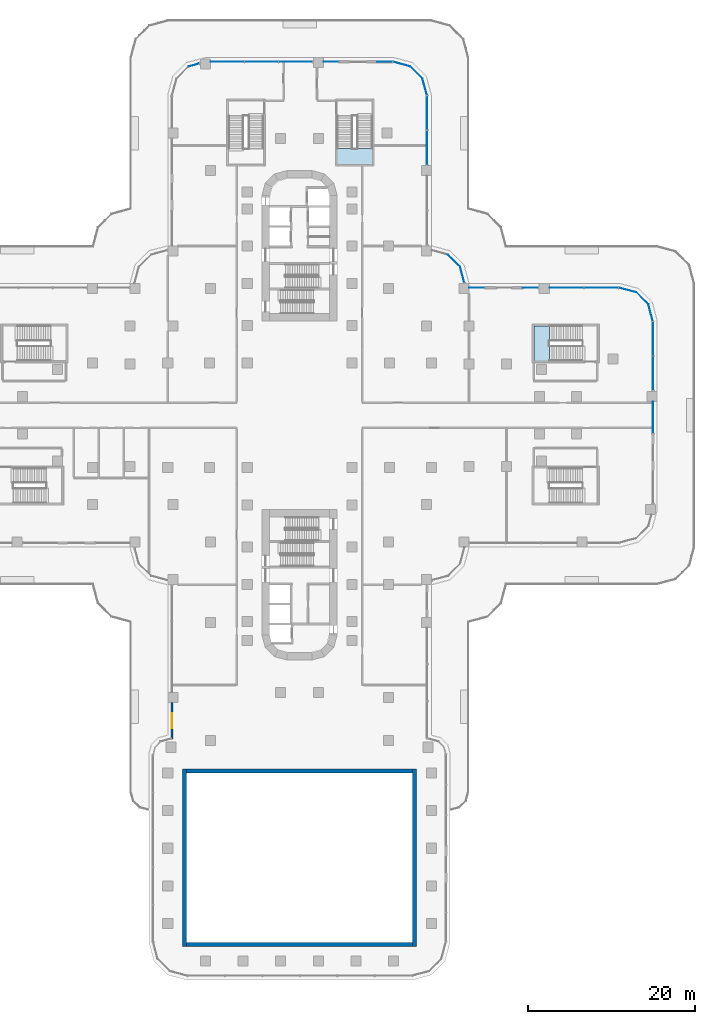
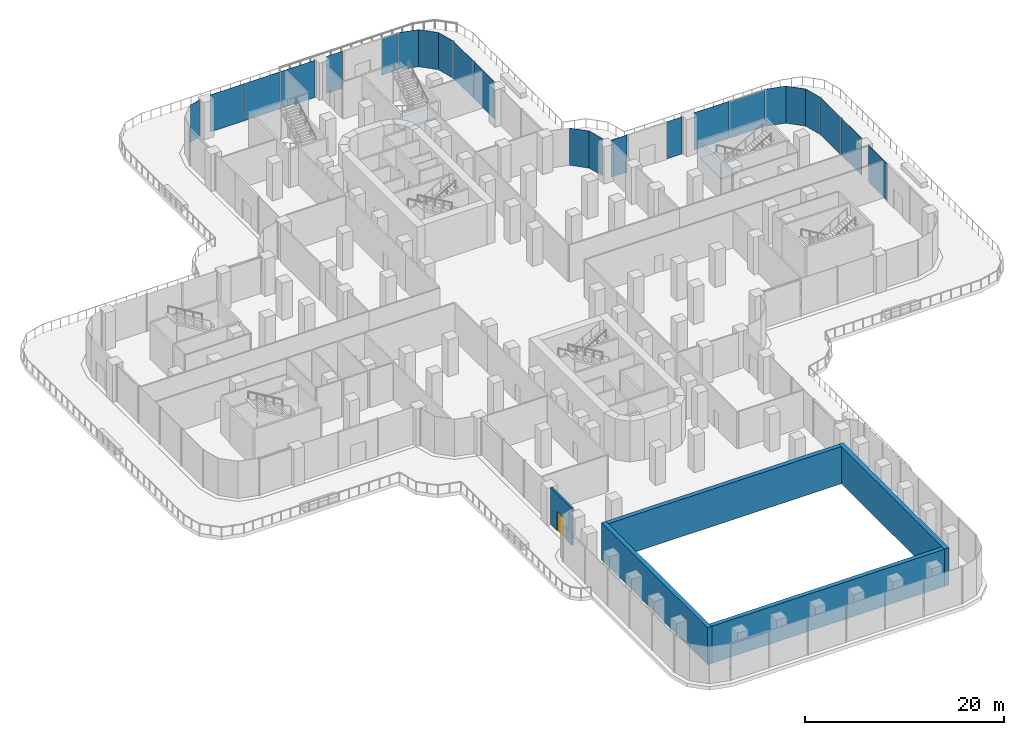
# One storey, part 15 of 27: 23 plates, 5 walls, 2 slabs, 1 door, 1 opening, 15 elements without a shape of their own.
"""IFC4 building model written with IfcOpenShell, lengths in metres."""

from ifc_helpers import new_model, si_unit, direction, frame, frame_2d, origin, place, context, subcontext, project, spatial, polyline, rectangle, outline, extrude, source, transform, mapped, material, layer, layer_set, type_object, element, fill, aggregate, save


model = new_model("IFC4")

# Units and contexts
model_context = context("Model", 3, precision=1e-05, world=origin(), true_north=direction((0.0, 1.0)))
body_context = subcontext(model_context, "Body", "Model", "MODEL_VIEW")
ifc_project = project(units=[si_unit("LENGTHUNIT", "METRE"), si_unit("AREAUNIT", "SQUARE_METRE"), si_unit("VOLUMEUNIT", "CUBIC_METRE"), si_unit("PLANEANGLEUNIT", "RADIAN"), si_unit("MASSUNIT", "GRAM", prefix="KILO")], contexts=[model_context])

# Site, building, storey
site_placement = place(None, origin())
site = spatial("IfcSite", under=ifc_project, at=site_placement, CompositionType="ELEMENT")
building_placement = place(site_placement, origin())
building = spatial("IfcBuilding", under=site, at=building_placement, Name="Zarbagh Exchange Tower", CompositionType="ELEMENT")
storey_placement = place(building_placement, frame((0.0, 0.0, 17.0)))
storey = spatial("IfcBuildingStorey", under=building, at=storey_placement, Name="L03", CompositionType="ELEMENT", Elevation=17.0)

# Stair, slab
ifc_material_1 = material(Name="Concrete C40/50", Category="concrete")
stair_type = type_object("IfcStairType", Name="Exit stair two-flight half-turn", PredefinedType="HALF_TURN_STAIR", material=ifc_material_1)
stair_1_placement = place(storey_placement, origin())
stair_1 = element("IfcStair", 1, at=stair_1_placement, inside=storey, type_object=stair_type, Name="exit stair PS2", PredefinedType="HALF_TURN_STAIR")
ifc_layer_1 = layer(ifc_material_1, 0.199951171875)
ifc_layer_set_1 = layer_set([ifc_layer_1], Name="Stair landing 200 mm")
slab_type = type_object("IfcSlabType", Name="Stair landing 200 mm", PredefinedType="LANDING", material=ifc_layer_set_1)
slab_1_placement = place(storey_placement, frame((0.0, 0.0, 2.300048828125)))
slab_1 = element("IfcSlab", 2, at=slab_1_placement, type_object=slab_type, Name="PS2 landing 1", PredefinedType="LANDING", context=body_context, shape_type="SweptSolid", body=[
    extrude(outline(polyline([(4.5, 31.8798828125), (4.5, 30.0), (8.699951171875, 30.0), (8.699951171875, 31.8798828125), (4.5, 31.8798828125)])), origin(), (0.0, 0.0, 1.0), 0.199951171875),
])
aggregate(stair_1, [slab_1])

stair_2_placement = place(storey_placement, origin())
stair_2 = element("IfcStair", 3, at=stair_2_placement, inside=storey, type_object=stair_type, Name="exit stair PS3", PredefinedType="HALF_TURN_STAIR")
slab_2_placement = place(storey_placement, frame((0.0, 0.0, 2.300048828125)))
slab_2 = element("IfcSlab", 4, at=slab_2_placement, type_object=slab_type, Name="PS3 landing 1", PredefinedType="LANDING", context=body_context, shape_type="SweptSolid", body=[
    extrude(outline(polyline([(29.8798828125, 10.699951171875), (28.0, 10.699951171875), (28.0, 6.5), (29.8798828125, 6.5), (29.8798828125, 10.699951171875)])), origin(), (0.0, 0.0, 1.0), 0.199951171875),
])
aggregate(stair_2, [slab_2])

# Curtain wall, plate
ifc_material_2 = material(Name="Anodised aluminium frame and glazing", Category="aluminium")
curtain_wall_type = type_object("IfcCurtainWallType", Name="CWC Podium garden-wall glazing", PredefinedType="NOTDEFINED", material=ifc_material_2)
curtain_wall_1_placement = place(storey_placement, origin())
curtain_wall_1 = element("IfcCurtainWall", 5, at=curtain_wall_1_placement, inside=storey, type_object=curtain_wall_type, Name="CWC155 curtain wall", PredefinedType="NOTDEFINED")
ifc_material_3 = material(Name="Low-e double glazed unit, 6+12+6 mm")
ifc_layer_2 = layer(ifc_material_3, 0.031982421875)
ifc_layer_set_2 = layer_set([ifc_layer_2], Name="PAC Glazing panel, Low-e double glazed unit, 6+12+6 mm")
plate_type = type_object("IfcPlateType", Name="PAC Glazing panel, Low-e double glazed unit, 6+12+6 mm", PredefinedType="CURTAIN_PANEL", material=ifc_layer_set_2)
shared_shape_1 = source(origin(), body_context, "Body", "SweptSolid", [
    extrude(outline(polyline([(0.0, -0.01611328125), (2.049560546875, -0.01611328125), (2.049560546875, 0.01611328125), (0.0, 0.01611328125), (0.0, -0.01611328125)])), origin(), (0.0, 0.0, 1.0), 4.550048828125),
])
placement = place(storey_placement, origin())
plate_1 = element("IfcPlate", 6, at=placement, type_object=plate_type, Name="CWC155 glazing panel 1.1", PredefinedType="CURTAIN_PANEL", context=body_context, shape_type="MappedRepresentation", body=[
    mapped(shared_shape_1, transform((42.229248046875, 11.261474609375, 0.0), x_axis=(-0.258824779902, 0.965924289636, 0.0), y_axis=(-0.965924289636, -0.258824779902, 0.0), z_axis=(0.0, 0.0, 1.0))),
])
aggregate(curtain_wall_1, [plate_1])

curtain_wall_2_placement = place(storey_placement, origin())
curtain_wall_2 = element("IfcCurtainWall", 7, at=curtain_wall_2_placement, inside=storey, type_object=curtain_wall_type, Name="CWC163 curtain wall", PredefinedType="NOTDEFINED")
plate_2 = element("IfcPlate", 8, at=placement, type_object=plate_type, Name="CWC163 glazing panel 1.1", PredefinedType="CURTAIN_PANEL", context=body_context, shape_type="MappedRepresentation", body=[
    mapped(shared_shape_1, transform((15.229248046875, 38.261474609375, 0.0), x_axis=(-0.258824779902, 0.965924289636, 0.0), y_axis=(-0.965924289636, -0.258824779902, 0.0), z_axis=(0.0, 0.0, 1.0))),
])
aggregate(curtain_wall_2, [plate_2])

curtain_wall_3_placement = place(storey_placement, origin())
curtain_wall_3 = element("IfcCurtainWall", 9, at=curtain_wall_3_placement, inside=storey, type_object=curtain_wall_type, Name="CWC156 curtain wall", PredefinedType="NOTDEFINED")
shared_shape_2 = source(origin(), body_context, "Body", "SweptSolid", [
    extrude(outline(polyline([(0.0, -0.01611328125), (2.061279296875, -0.01611328125), (2.061279296875, 0.01611328125), (0.0, 0.01611328125), (0.0, -0.01611328125)])), origin(), (0.0, 0.0, 1.0), 4.550048828125),
])
plate_3 = element("IfcPlate", 10, at=placement, type_object=plate_type, Name="CWC156 glazing panel 1.1", PredefinedType="CURTAIN_PANEL", context=body_context, shape_type="MappedRepresentation", body=[
    mapped(shared_shape_2, transform((41.69873046875, 13.2412109375, 0.0), x_axis=(-0.707106781187, 0.707106781187, 0.0), y_axis=(-0.707106781187, -0.707106781187, 0.0), z_axis=(0.0, 0.0, 1.0))),
])
aggregate(curtain_wall_3, [plate_3])

curtain_wall_4_placement = place(storey_placement, origin())
curtain_wall_4 = element("IfcCurtainWall", 11, at=curtain_wall_4_placement, inside=storey, type_object=curtain_wall_type, Name="CWC160 curtain wall", PredefinedType="NOTDEFINED")
plate_4 = element("IfcPlate", 12, at=placement, type_object=plate_type, Name="CWC160 glazing panel 1.1", PredefinedType="CURTAIN_PANEL", context=body_context, shape_type="MappedRepresentation", body=[
    mapped(shared_shape_2, transform((19.19873046875, 17.7412109375, 0.0), x_axis=(-0.707106781187, 0.707106781187, 0.0), y_axis=(-0.707106781187, -0.707106781187, 0.0), z_axis=(0.0, 0.0, 1.0))),
])
aggregate(curtain_wall_4, [plate_4])

curtain_wall_5_placement = place(storey_placement, origin())
curtain_wall_5 = element("IfcCurtainWall", 13, at=curtain_wall_5_placement, inside=storey, type_object=curtain_wall_type, Name="CWC164 curtain wall", PredefinedType="NOTDEFINED")
plate_5 = element("IfcPlate", 14, at=placement, type_object=plate_type, Name="CWC164 glazing panel 1.1", PredefinedType="CURTAIN_PANEL", context=body_context, shape_type="MappedRepresentation", body=[
    mapped(shared_shape_2, transform((14.69873046875, 40.2412109375, 0.0), x_axis=(-0.707106781187, 0.707106781187, 0.0), y_axis=(-0.707106781187, -0.707106781187, 0.0), z_axis=(0.0, 0.0, 1.0))),
])
aggregate(curtain_wall_5, [plate_5])

# Curtain wall, plates
curtain_wall_6_placement = place(storey_placement, origin())
curtain_wall_6 = element("IfcCurtainWall", 15, at=curtain_wall_6_placement, inside=storey, type_object=curtain_wall_type, Name="CWC166 curtain wall", PredefinedType="NOTDEFINED")
shared_shape_3 = source(origin(), body_context, "Body", "SweptSolid", [
    extrude(outline(polyline([(0.0, -0.01611328125), (3.993408203125, -0.01611328125), (3.993408203125, 0.01611328125), (0.0, 0.01611328125), (0.0, -0.01611328125)])), origin(), (0.0, 0.0, 1.0), 4.550048828125),
])
plate_6 = element("IfcPlate", 16, at=placement, type_object=plate_type, Name="CWC166 glazing panel 3.1", PredefinedType="CURTAIN_PANEL", context=body_context, shape_type="MappedRepresentation", body=[
    mapped(shared_shape_3, transform((1.530029296875, 42.25, 0.0), x_axis=(-1.0, 0.0, 0.0), y_axis=(0.0, -1.0, 0.0), z_axis=(0.0, 0.0, 1.0))),
])
plate_7 = element("IfcPlate", 17, at=placement, type_object=plate_type, Name="CWC166 glazing panel 3.2", PredefinedType="CURTAIN_PANEL", context=body_context, shape_type="MappedRepresentation", body=[
    mapped(shared_shape_3, transform((-2.54345703125, 42.25, 0.0), x_axis=(-1.0, 0.0, 0.0), y_axis=(0.0, -1.0, 0.0), z_axis=(0.0, 0.0, 1.0))),
])
plate_8 = element("IfcPlate", 18, at=placement, type_object=plate_type, Name="CWC166 glazing panel 3.3", PredefinedType="CURTAIN_PANEL", context=body_context, shape_type="MappedRepresentation", body=[
    mapped(shared_shape_3, transform((-6.61669921875, 42.25, 0.0), x_axis=(-1.0, 0.0, 0.0), y_axis=(0.0, -1.0, 0.0), z_axis=(0.0, 0.0, 1.0))),
])

# Curtain wall, plate
curtain_wall_7_placement = place(storey_placement, origin())
curtain_wall_7 = element("IfcCurtainWall", 19, at=curtain_wall_7_placement, inside=storey, type_object=curtain_wall_type, Name="CWC159 curtain wall", PredefinedType="NOTDEFINED")
shared_shape_4 = source(origin(), body_context, "Body", "SweptSolid", [
    extrude(outline(polyline([(0.0, -0.01611328125), (1.93994140625, -0.01611328125), (1.93994140625, 0.01611328125), (0.0, 0.01611328125), (0.0, -0.01611328125)])), origin(), (0.0, 0.0, 1.0), 4.550048828125),
])
plate_9 = element("IfcPlate", 20, at=placement, type_object=plate_type, Name="CWC159 glazing panel 1.1", PredefinedType="CURTAIN_PANEL", context=body_context, shape_type="MappedRepresentation", body=[
    mapped(shared_shape_4, transform((19.700927734375, 15.867431640625, 0.0), x_axis=(-0.258824779902, 0.965924289636, 0.0), y_axis=(-0.965924289636, -0.258824779902, 0.0), z_axis=(0.0, 0.0, 1.0))),
])
aggregate(curtain_wall_7, [plate_9])

curtain_wall_8_placement = place(storey_placement, origin())
curtain_wall_8 = element("IfcCurtainWall", 21, at=curtain_wall_8_placement, inside=storey, type_object=curtain_wall_type, Name="CWC167 curtain wall", PredefinedType="NOTDEFINED")
shared_shape_5 = source(origin(), body_context, "Body", "SweptSolid", [
    extrude(outline(polyline([(0.0, -0.01611328125), (1.31884765625, -0.01611328125), (1.31884765625, 0.01611328125), (0.0, 0.01611328125), (0.0, -0.01611328125)])), origin(), (0.0, 0.0, 1.0), 4.550048828125),
])
plate_10 = element("IfcPlate", 22, at=placement, type_object=plate_type, Name="CWC167 glazing panel 1.1", PredefinedType="CURTAIN_PANEL", context=body_context, shape_type="MappedRepresentation", body=[
    mapped(shared_shape_5, transform((-11.96728515625, 42.040283203125, 0.0), x_axis=(-0.965924289636, -0.258824779902, 0.0), y_axis=(0.258824779902, -0.965924289636, 0.0), z_axis=(0.0, 0.0, 1.0))),
])
aggregate(curtain_wall_8, [plate_10])

curtain_wall_9_placement = place(storey_placement, origin())
curtain_wall_9 = element("IfcCurtainWall", 23, at=curtain_wall_9_placement, inside=storey, type_object=curtain_wall_type, Name="CWC154 curtain wall", PredefinedType="NOTDEFINED")
shared_shape_6 = source(origin(), body_context, "Body", "SweptSolid", [
    extrude(outline(polyline([(0.0, -0.01611328125), (3.780029296875, -0.01611328125), (3.780029296875, 0.01611328125), (0.0, 0.01611328125), (0.0, -0.01611328125)])), origin(), (0.0, 0.0, 1.0), 4.550048828125),
])
plate_11 = element("IfcPlate", 24, at=placement, type_object=plate_type, Name="CWC154 glazing panel 2.1", PredefinedType="CURTAIN_PANEL", context=body_context, shape_type="MappedRepresentation", body=[
    mapped(shared_shape_6, transform((42.25, -2.169921875, 0.0), x_axis=(0.0, 1.0, 0.0), y_axis=(-1.0, 0.0, 0.0), z_axis=(0.0, 0.0, 1.0))),
])

curtain_wall_10_placement = place(storey_placement, origin())
curtain_wall_10 = element("IfcCurtainWall", 25, at=curtain_wall_10_placement, inside=storey, type_object=curtain_wall_type, Name="CWC157 curtain wall", PredefinedType="NOTDEFINED")
shared_shape_7 = source(origin(), body_context, "Body", "SweptSolid", [
    extrude(outline(polyline([(0.0, -0.01611328125), (2.129638671875, -0.01611328125), (2.129638671875, 0.01611328125), (0.0, 0.01611328125), (0.0, -0.01611328125)])), origin(), (0.0, 0.0, 1.0), 4.550048828125),
])
plate_12 = element("IfcPlate", 26, at=placement, type_object=plate_type, Name="CWC157 glazing panel 1.1", PredefinedType="CURTAIN_PANEL", context=body_context, shape_type="MappedRepresentation", body=[
    mapped(shared_shape_7, transform((40.2412109375, 14.69873046875, 0.0), x_axis=(-0.965924289636, 0.258824779902, 0.0), y_axis=(-0.258824779902, -0.965924289636, 0.0), z_axis=(0.0, 0.0, 1.0))),
])
aggregate(curtain_wall_10, [plate_12])

curtain_wall_11_placement = place(storey_placement, origin())
curtain_wall_11 = element("IfcCurtainWall", 27, at=curtain_wall_11_placement, inside=storey, type_object=curtain_wall_type, Name="CWC165 curtain wall", PredefinedType="NOTDEFINED")
plate_13 = element("IfcPlate", 28, at=placement, type_object=plate_type, Name="CWC165 glazing panel 1.1", PredefinedType="CURTAIN_PANEL", context=body_context, shape_type="MappedRepresentation", body=[
    mapped(shared_shape_7, transform((13.2412109375, 41.69873046875, 0.0), x_axis=(-0.965924289636, 0.258824779902, 0.0), y_axis=(-0.258824779902, -0.965924289636, 0.0), z_axis=(0.0, 0.0, 1.0))),
])
aggregate(curtain_wall_11, [plate_13])

# Plate
shared_shape_8 = source(origin(), body_context, "Body", "SweptSolid", [
    extrude(outline(polyline([(0.0, -0.01611328125), (1.817138671875, -0.01611328125), (1.817138671875, 0.01611328125), (0.0, 0.01611328125), (0.0, -0.01611328125)])), origin(), (0.0, 0.0, 1.0), 4.550048828125),
])
plate_14 = element("IfcPlate", 29, at=placement, type_object=plate_type, Name="CWC166 glazing panel 2.1", PredefinedType="CURTAIN_PANEL", context=body_context, shape_type="MappedRepresentation", body=[
    mapped(shared_shape_8, transform((4.70703125, 42.25, 0.0), x_axis=(-1.0, 0.0, 0.0), y_axis=(0.0, -1.0, 0.0), z_axis=(0.0, 0.0, 1.0))),
])

# Curtain wall, plate
curtain_wall_12_placement = place(storey_placement, origin())
curtain_wall_12 = element("IfcCurtainWall", 30, at=curtain_wall_12_placement, inside=storey, type_object=curtain_wall_type, Name="CWC158 curtain wall", PredefinedType="NOTDEFINED")
shared_shape_9 = source(origin(), body_context, "Body", "SweptSolid", [
    extrude(outline(polyline([(0.0, -0.01611328125), (4.067138671875, -0.01611328125), (4.067138671875, 0.01611328125), (0.0, 0.01611328125), (0.0, -0.01611328125)])), origin(), (0.0, 0.0, 1.0), 4.469970703125),
])
plate_15 = element("IfcPlate", 31, at=placement, type_object=plate_type, Name="CWC158 glazing panel 1.1", PredefinedType="CURTAIN_PANEL", context=body_context, shape_type="MappedRepresentation", body=[
    mapped(shared_shape_9, transform((38.104248046875, 15.25, 0.0), x_axis=(-1.0, 0.0, 0.0), y_axis=(0.0, -1.0, 0.0), z_axis=(0.0, 0.0, 1.0))),
])

# Plate
shared_shape_10 = source(origin(), body_context, "Body", "SweptSolid", [
    extrude(outline(polyline([(0.0, -0.01611328125), (4.067138671875, -0.01611328125), (4.067138671875, 0.01611328125), (0.0, 0.01611328125), (0.0, -0.01611328125)])), origin(), (0.0, 0.0, 1.0), 4.550048828125),
])
plate_16 = element("IfcPlate", 32, at=placement, type_object=plate_type, Name="CWC154 glazing panel 3.1", PredefinedType="CURTAIN_PANEL", context=body_context, shape_type="MappedRepresentation", body=[
    mapped(shared_shape_10, transform((42.25, 2.969970703125, 0.0), x_axis=(0.0, 1.0, 0.0), y_axis=(-1.0, 0.0, 0.0), z_axis=(0.0, 0.0, 1.0))),
])

plate_17 = element("IfcPlate", 33, at=placement, type_object=plate_type, Name="CWC154 glazing panel 3.2", PredefinedType="CURTAIN_PANEL", context=body_context, shape_type="MappedRepresentation", body=[
    mapped(shared_shape_10, transform((42.25, 7.1171875, 0.0), x_axis=(0.0, 1.0, 0.0), y_axis=(-1.0, 0.0, 0.0), z_axis=(0.0, 0.0, 1.0))),
])

aggregate(curtain_wall_9, [plate_11, plate_16, plate_17])

plate_18 = element("IfcPlate", 34, at=placement, type_object=plate_type, Name="CWC158 glazing panel 1.2", PredefinedType="CURTAIN_PANEL", context=body_context, shape_type="MappedRepresentation", body=[
    mapped(shared_shape_10, transform((33.95703125, 15.25, 0.0), x_axis=(-1.0, 0.0, 0.0), y_axis=(0.0, -1.0, 0.0), z_axis=(0.0, 0.0, 1.0))),
])

# Curtain wall, plates
curtain_wall_13_placement = place(storey_placement, origin())
curtain_wall_13 = element("IfcCurtainWall", 35, at=curtain_wall_13_placement, inside=storey, type_object=curtain_wall_type, Name="CWC162 curtain wall", PredefinedType="NOTDEFINED")
plate_19 = element("IfcPlate", 36, at=placement, type_object=plate_type, Name="CWC162 glazing panel 2.1", PredefinedType="CURTAIN_PANEL", context=body_context, shape_type="MappedRepresentation", body=[
    mapped(shared_shape_10, transform((15.25, 29.969970703125, 0.0), x_axis=(0.0, 1.0, 0.0), y_axis=(-1.0, 0.0, 0.0), z_axis=(0.0, 0.0, 1.0))),
])
plate_20 = element("IfcPlate", 37, at=placement, type_object=plate_type, Name="CWC162 glazing panel 2.2", PredefinedType="CURTAIN_PANEL", context=body_context, shape_type="MappedRepresentation", body=[
    mapped(shared_shape_10, transform((15.25, 34.1171875, 0.0), x_axis=(0.0, 1.0, 0.0), y_axis=(-1.0, 0.0, 0.0), z_axis=(0.0, 0.0, 1.0))),
])
aggregate(curtain_wall_13, [plate_19, plate_20])

# Plate
shared_shape_11 = source(origin(), body_context, "Body", "SweptSolid", [
    extrude(outline(polyline([(0.0, -0.01611328125), (1.830078125, -0.01611328125), (1.830078125, 0.01611328125), (0.0, 0.01611328125), (0.0, -0.01611328125)])), origin(), (0.0, 0.0, 1.0), 4.550048828125),
])
plate_21 = element("IfcPlate", 38, at=placement, type_object=plate_type, Name="CWC158 glazing panel 2.1", PredefinedType="CURTAIN_PANEL", context=body_context, shape_type="MappedRepresentation", body=[
    mapped(shared_shape_11, transform((28.530029296875, 15.25, 0.0), x_axis=(-1.0, 0.0, 0.0), y_axis=(0.0, -1.0, 0.0), z_axis=(0.0, 0.0, 1.0))),
])

plate_22 = element("IfcPlate", 39, at=placement, type_object=plate_type, Name="CWC158 glazing panel 3.1", PredefinedType="CURTAIN_PANEL", context=body_context, shape_type="MappedRepresentation", body=[
    mapped(shared_shape_11, transform((22.119873046875, 15.25, 0.0), x_axis=(-1.0, 0.0, 0.0), y_axis=(0.0, -1.0, 0.0), z_axis=(0.0, 0.0, 1.0))),
])

aggregate(curtain_wall_12, [plate_15, plate_18, plate_21, plate_22])

shared_shape_12 = source(origin(), body_context, "Body", "SweptSolid", [
    extrude(outline(polyline([(0.0, -0.01611328125), (1.817138671875, -0.01611328125), (1.817138671875, 0.01611328125), (0.0, 0.01611328125), (0.0, -0.01611328125)])), origin(), (0.0, 0.0, 1.0), 4.469970703125),
])
plate_23 = element("IfcPlate", 40, at=placement, type_object=plate_type, Name="CWC166 glazing panel 1.1", PredefinedType="CURTAIN_PANEL", context=body_context, shape_type="MappedRepresentation", body=[
    mapped(shared_shape_12, transform((11.104248046875, 42.25, 0.0), x_axis=(-1.0, 0.0, 0.0), y_axis=(0.0, -1.0, 0.0), z_axis=(0.0, 0.0, 1.0))),
])

aggregate(curtain_wall_6, [plate_23, plate_14, plate_6, plate_7, plate_8])

# Walls
ifc_material_4 = material(Name="Concrete C50/60", Category="concrete")
ifc_layer_3 = layer(ifc_material_4, 0.5)
ifc_layer_set_3 = layer_set([ifc_layer_3], Name="RC hall wall 500 C50/60")
wall_type_1 = type_object("IfcWallType", Name="RC hall wall 500 C50/60", PredefinedType="SOLIDWALL", material=ifc_layer_set_3)
for number, where, z_axis, x_axis, name in (
    (41, (-13.75, -63.5, 0.0), (0.0, 0.0, 1.0), (0.0, 1.0, 0.0), "CW11 hall"),
    (42, (13.75, -63.5, 0.0), (0.0, 0.0, 1.0), (0.0, 1.0, 0.0), "CW11 hall"),
):
    element("IfcWall", number, at=place(storey_placement, frame(where, z_axis=z_axis, x_axis=x_axis)), inside=storey, type_object=wall_type_1, Name=name, PredefinedType="SOLIDWALL", context=body_context, shape_type="SweptSolid", body=[
        extrude(rectangle(XDim=21.25, YDim=0.5, at=frame_2d((10.625, 0.0))), origin(), (0.0, 0.0, 1.0), 4.550048828125),
    ])
for number, where, z_axis, x_axis, name in (
    (43, (-13.5, -63.25, 0.0), (0.0, 0.0, 1.0), (1.0, 0.0, 0.0), "CW11 hall"),
    (44, (-13.5, -42.5, 0.0), (0.0, 0.0, 1.0), (1.0, 0.0, 0.0), "CW11 hall"),
):
    element("IfcWall", number, at=place(storey_placement, frame(where, z_axis=z_axis, x_axis=x_axis)), inside=storey, type_object=wall_type_1, Name=name, PredefinedType="SOLIDWALL", context=body_context, shape_type="SweptSolid", body=[
        extrude(rectangle(XDim=27.0, YDim=0.5, at=frame_2d((13.5, 0.0))), origin(), (0.0, 0.0, 1.0), 4.550048828125),
    ])

# Wall, opening, door
ifc_material_5 = material(Name="Precast concrete C50/60", Category="concrete")
ifc_layer_4 = layer(ifc_material_5, 0.199951171875)
ifc_layer_set_4 = layer_set([ifc_layer_4], Name="Terrace door wall, precast concrete C50/60")
wall_type_2 = type_object("IfcWallType", Name="Terrace door wall, precast concrete C50/60", PredefinedType="SOLIDWALL", material=ifc_layer_set_4)
wall_placement = place(storey_placement, frame((-15.25, -34.35009765625, 0.0), z_axis=(0.0, 0.0, 1.0), x_axis=(0.0, -1.0, 0.0)))
wall = element("IfcWall", 45, at=wall_placement, inside=storey, type_object=wall_type_2, Name="TW26 door wall", PredefinedType="SOLIDWALL", context=body_context, shape_type="SweptSolid", body=[
    extrude(rectangle(XDim=4.283447265625, YDim=0.199951171875, at=frame_2d((2.1416015625, 0.0))), origin(), (0.0, 0.0, 1.0), 4.550048828125),
])
opening_placement = place(wall_placement, frame((1.24169921875, 0.0, 0.0)))
opening = element("IfcOpeningElement", 46, at=opening_placement, cuts=wall, Name="Opening TD03", PredefinedType="OPENING", context=body_context, shape_type="SweptSolid", body=[
    extrude(rectangle(XDim=1.800048828125, YDim=2.39990234375, at=frame_2d((0.89990234375, 1.199951171875))), frame((0.0, 0.10986328125, 0.0), z_axis=(0.0, -1.0, 0.0), x_axis=(1.0, 0.0, 0.0)), (0.0, 0.0, 1.0), 0.219970703125),
])
ifc_material_6 = material(Name="Anodised aluminium and glass", Category="aluminium")
door_type = type_object("IfcDoorType", Name="Terrace door, double leaf, aluminium and glass", OperationType="DOUBLE_DOOR_DOUBLE_SWING", PredefinedType="DOOR", material=ifc_material_6)
door_placement = place(opening_placement, origin())
door = element("IfcDoor", 47, at=door_placement, inside=storey, type_object=door_type, Name="TD03 terrace door", OperationType="SINGLE_SWING_LEFT", OverallHeight=2.39990234375, OverallWidth=1.800048828125, PredefinedType="DOOR", context=body_context, shape_type="SweptSolid", body=[
    extrude(rectangle(XDim=1.800048828125, YDim=2.39990234375, at=frame_2d((0.89990234375, 1.199951171875))), frame((0.0, 0.02490234375, 0.0), z_axis=(0.0, -1.0, 0.0), x_axis=(1.0, 0.0, 0.0)), (0.0, 0.0, 1.0), 0.050048828125),
])
fill(opening, door)

save(model, "model.ifc")
